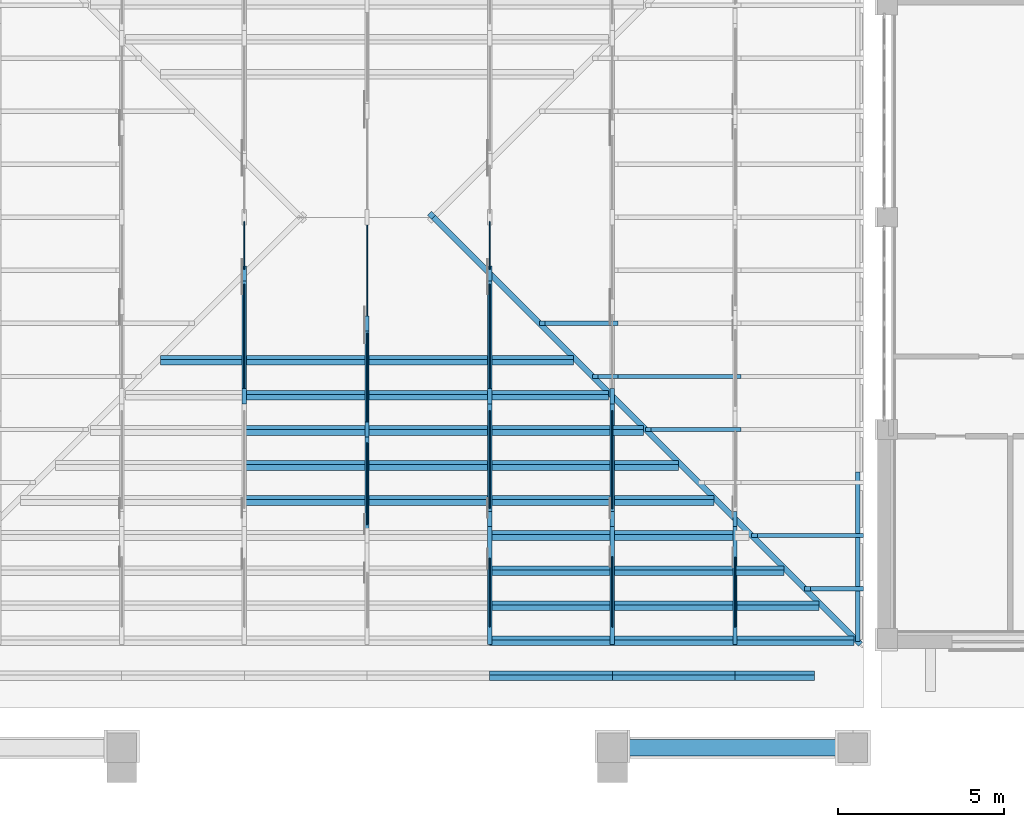
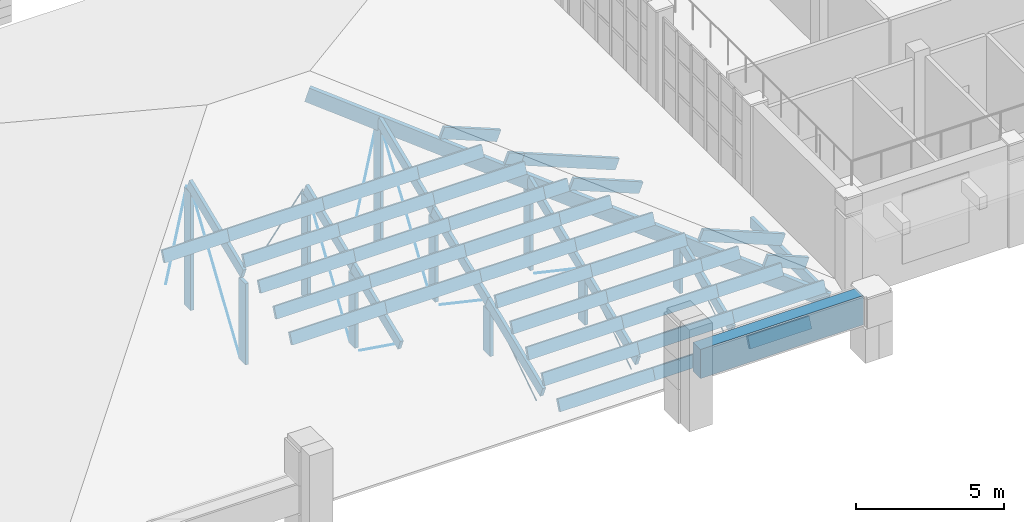
# One storey, part 5 of 68: 70 members, 3 beams.
"""IFC4 building model written with IfcOpenShell, lengths in metres."""

from ifc_helpers import new_model, si_unit, direction, frame, origin, origin_2d, place, context, subcontext, project, spatial, rectangle, circle, extrude, material, material_profile, profile_set, type_object, element, save


model = new_model("IFC4")

# Units and contexts
model_context = context("Model", 3, precision=1e-05, world=origin(), true_north=direction((0.0, 1.0)))
body_context = subcontext(model_context, "Body", "Model", "MODEL_VIEW")
ifc_project = project(units=[si_unit("LENGTHUNIT", "METRE"), si_unit("AREAUNIT", "SQUARE_METRE"), si_unit("VOLUMEUNIT", "CUBIC_METRE"), si_unit("PLANEANGLEUNIT", "RADIAN"), si_unit("MASSUNIT", "GRAM", prefix="KILO")], contexts=[model_context])

# Site, building, storey
site_placement = place(None, origin())
site = spatial("IfcSite", under=ifc_project, at=site_placement, CompositionType="ELEMENT")
building_placement = place(site_placement, origin())
building = spatial("IfcBuilding", under=site, at=building_placement, Name="Wasatch Bagh Community Centre", CompositionType="ELEMENT")
storey_placement = place(building_placement, frame((0.0, 0.0, 8.39990234375)))
storey = spatial("IfcBuildingStorey", under=building, at=storey_placement, Name="L02", CompositionType="ELEMENT", Elevation=8.39990234375)

# Beams
ifc_material_1 = material(Name="Concrete C35", Category="concrete")
ifc_material_profile_1 = material_profile(ifc_material_1, rectangle(XDim=0.5, YDim=1.199951171875, at=origin_2d()), Name="RC 500x1200")
ifc_profile_set_1 = profile_set([ifc_material_profile_1], Name="Concrete C35")
beam_type_1 = type_object("IfcBeamType", Name="CL-B3", PredefinedType="BEAM", material=ifc_profile_set_1)
beam_1_placement = place(storey_placement, frame((88.85009765625, 3.0, 2.0), z_axis=(1.0, 0.0, 0.0), x_axis=(0.0, 1.0, 0.0)))
element("IfcBeam", 1, at=beam_1_placement, inside=storey, type_object=beam_type_1, Name="CL-B3 head beam DHA2", PredefinedType="BEAM", context=body_context, shape_type="SweptSolid", body=[
    extrude(rectangle(XDim=0.5, YDim=1.199951171875, at=origin_2d()), origin(), (0.0, 0.0, 1.0), 6.349853515625),
])
ifc_material_2 = material(Name="Glulam 24F-V4 Douglas fir-larch", Category="wood")
ifc_material_profile_2 = material_profile(ifc_material_2, rectangle(XDim=0.130126953125, YDim=0.457275390625, at=origin_2d()), Name="GL 130x457")
ifc_profile_set_2 = profile_set([ifc_material_profile_2], Name="Glulam 24F-V4 Douglas fir-larch")
beam_type_2 = type_object("IfcBeamType", Name="DH GL 130x457 beam", PredefinedType="BEAM", material=ifc_profile_set_2)
beam_2_placement = place(storey_placement, frame((95.800048828125, 6.199951171875, 0.228759765625), z_axis=(0.0, 1.0, 0.0), x_axis=(-1.0, 0.0, 0.0)))
element("IfcBeam", 2, at=beam_2_placement, inside=storey, type_object=beam_type_2, Name="DH.beam.L01.platee1", PredefinedType="BEAM", context=body_context, shape_type="SweptSolid", body=[
    extrude(rectangle(XDim=0.130126953125, YDim=0.457275390625, at=origin_2d()), origin(), (0.0, 0.0, 1.0), 5.1201171875),
])

# Members
ifc_material_profile_3 = material_profile(ifc_material_2, rectangle(XDim=0.130126953125, YDim=0.457275390625, at=origin_2d()), Name="GL 130x457")
ifc_profile_set_3 = profile_set([ifc_material_profile_3], Name="Glulam 24F-V4 Douglas fir-larch")
member_type_1 = type_object("IfcMemberType", Name="DH GL 130x457 chord", PredefinedType="CHORD", material=ifc_profile_set_3)
member_1_placement = place(storey_placement, frame((77.300048828125, 13.600830078125, 3.200927734375), z_axis=(0.0, 0.925992338678, 0.377542300557), x_axis=(-1.0, 0.0, 0.0)))
element("IfcMember", 3, at=member_1_placement, inside=storey, type_object=member_type_1, Name="DH.TH3.TC04", PredefinedType="CHORD", context=body_context, shape_type="SweptSolid", body=[
    extrude(rectangle(XDim=0.130126953125, YDim=0.457275390625, at=origin_2d()), origin(), (0.0, 0.0, 1.0), 3.94970703125),
])
member_2_placement = place(storey_placement, frame((81.0, 9.400390625, 1.50390625), z_axis=(0.0, 0.927192693318, 0.374584715997), x_axis=(-1.0, 0.0, 0.0)))
element("IfcMember", 4, at=member_2_placement, inside=storey, type_object=member_type_1, Name="DH.TH4.TC03", PredefinedType="CHORD", context=body_context, shape_type="SweptSolid", body=[
    extrude(rectangle(XDim=0.130126953125, YDim=0.457275390625, at=origin_2d()), origin(), (0.0, 0.0, 1.0), 3.450439453125),
])
member_3_placement = place(storey_placement, frame((81.0, 12.600341796875, 2.796630859375), z_axis=(0.0, 0.927172833205, 0.374633871088), x_axis=(-1.0, 0.0, 0.0)))
element("IfcMember", 5, at=member_3_placement, inside=storey, type_object=member_type_1, Name="DH.TH4.TC04", PredefinedType="CHORD", context=body_context, shape_type="SweptSolid", body=[
    extrude(rectangle(XDim=0.130126953125, YDim=0.457275390625, at=origin_2d()), origin(), (0.0, 0.0, 1.0), 3.449951171875),
])
member_4_placement = place(storey_placement, frame((84.699951171875, 6.200439453125, 0.2109375), z_axis=(0.0, 0.927179717978, 0.37461683167), x_axis=(-1.0, 0.0, 0.0)))
element("IfcMember", 6, at=member_4_placement, inside=storey, type_object=member_type_1, Name="DH.TH5.TC02", PredefinedType="CHORD", context=body_context, shape_type="SweptSolid", body=[
    extrude(rectangle(XDim=0.130126953125, YDim=0.457275390625, at=origin_2d()), origin(), (0.0, 0.0, 1.0), 3.98974609375),
])
member_5_placement = place(storey_placement, frame((84.699951171875, 9.900390625, 1.705810546875), z_axis=(0.0, 0.927183797629, 0.374606734342), x_axis=(-1.0, 0.0, 0.0)))
element("IfcMember", 7, at=member_5_placement, inside=storey, type_object=member_type_1, Name="DH.TH5.TC03", PredefinedType="CHORD", context=body_context, shape_type="SweptSolid", body=[
    extrude(rectangle(XDim=0.130126953125, YDim=0.457275390625, at=origin_2d()), origin(), (0.0, 0.0, 1.0), 3.9892578125),
])
member_6_placement = place(storey_placement, frame((84.699951171875, 13.600830078125, 3.200927734375), z_axis=(0.0, 0.925992338678, 0.377542300557), x_axis=(-1.0, 0.0, 0.0)))
element("IfcMember", 8, at=member_6_placement, inside=storey, type_object=member_type_1, Name="DH.TH5.TC04", PredefinedType="CHORD", context=body_context, shape_type="SweptSolid", body=[
    extrude(rectangle(XDim=0.130126953125, YDim=0.457275390625, at=origin_2d()), origin(), (0.0, 0.0, 1.0), 3.94970703125),
])
member_7_placement = place(storey_placement, frame((88.39990234375, 6.200439453125, 0.2109375), z_axis=(0.0, 0.927183797629, 0.374606734342), x_axis=(-1.0, 0.0, 0.0)))
element("IfcMember", 9, at=member_7_placement, inside=storey, type_object=member_type_1, Name="DH.TH6.TC02", PredefinedType="CHORD", context=body_context, shape_type="SweptSolid", body=[
    extrude(rectangle(XDim=0.130126953125, YDim=0.457275390625, at=origin_2d()), origin(), (0.0, 0.0, 1.0), 3.9892578125),
])
member_8_placement = place(storey_placement, frame((88.39990234375, 9.90087890625, 1.7060546875), z_axis=(0.0, 0.925983527477, 0.377563910936), x_axis=(-1.0, 0.0, 0.0)))
element("IfcMember", 10, at=member_8_placement, inside=storey, type_object=member_type_1, Name="DH.TH6.TC03", PredefinedType="CHORD", context=body_context, shape_type="SweptSolid", body=[
    extrude(rectangle(XDim=0.130126953125, YDim=0.457275390625, at=origin_2d()), origin(), (0.0, 0.0, 1.0), 3.949462890625),
])
member_9_placement = place(storey_placement, frame((92.10009765625, 6.20068359375, 0.211181640625), z_axis=(0.0, 0.925992338678, 0.377542300557), x_axis=(-1.0, 0.0, 0.0)))
element("IfcMember", 11, at=member_9_placement, inside=storey, type_object=member_type_1, Name="DH.TH7.TC02", PredefinedType="CHORD", context=body_context, shape_type="SweptSolid", body=[
    extrude(rectangle(XDim=0.130126953125, YDim=0.457275390625, at=origin_2d()), origin(), (0.0, 0.0, 1.0), 3.94970703125),
])
ifc_material_profile_4 = material_profile(ifc_material_2, rectangle(XDim=0.130126953125, YDim=0.457275390625, at=origin_2d()), Name="GL 130x457")
ifc_profile_set_4 = profile_set([ifc_material_profile_4], Name="Glulam 24F-V4 Douglas fir-larch")
member_type_2 = type_object("IfcMemberType", Name="DH GL 130x457 post", PredefinedType="POST", material=ifc_profile_set_4)
member_10_placement = place(storey_placement, frame((77.300048828125, 13.60009765625, -0.422607421875), z_axis=(0.0, 0.0, 1.0), x_axis=(1.0, 0.0, 0.0)))
element("IfcMember", 12, at=member_10_placement, inside=storey, type_object=member_type_2, Name="DH.TH3.PS03", PredefinedType="POST", context=body_context, shape_type="SweptSolid", body=[
    extrude(rectangle(XDim=0.130126953125, YDim=0.457275390625, at=origin_2d()), origin(), (0.0, 0.0, 1.0), 3.34912109375),
])
member_11_placement = place(storey_placement, frame((77.300048828125, 17.300048828125, -0.422607421875), z_axis=(0.0, 0.0, 1.0), x_axis=(1.0, 0.0, 0.0)))
element("IfcMember", 13, at=member_11_placement, inside=storey, type_object=member_type_2, Name="DH.TH3.PS04", PredefinedType="POST", context=body_context, shape_type="SweptSolid", body=[
    extrude(rectangle(XDim=0.130126953125, YDim=0.457275390625, at=origin_2d()), origin(), (0.0, 0.0, 1.0), 4.8447265625),
])
member_12_placement = place(storey_placement, frame((81.0, 12.60009765625, -0.422607421875), z_axis=(0.0, 0.0, 1.0), x_axis=(1.0, 0.0, 0.0)))
element("IfcMember", 14, at=member_12_placement, inside=storey, type_object=member_type_2, Name="DH.TH4.PS03", PredefinedType="POST", context=body_context, shape_type="SweptSolid", body=[
    extrude(rectangle(XDim=0.130126953125, YDim=0.457275390625, at=origin_2d()), origin(), (0.0, 0.0, 1.0), 2.927001953125),
])
member_13_placement = place(storey_placement, frame((81.0, 15.800048828125, -0.422607421875), z_axis=(0.0, 0.0, 1.0), x_axis=(1.0, 0.0, 0.0)))
element("IfcMember", 15, at=member_13_placement, inside=storey, type_object=member_type_2, Name="DH.TH4.PS04", PredefinedType="POST", context=body_context, shape_type="SweptSolid", body=[
    extrude(rectangle(XDim=0.130126953125, YDim=0.457275390625, at=origin_2d()), origin(), (0.0, 0.0, 1.0), 4.23779296875),
])
member_14_placement = place(storey_placement, frame((84.699951171875, 9.89990234375, -0.422607421875), z_axis=(0.0, 0.0, 1.0), x_axis=(1.0, 0.0, 0.0)))
element("IfcMember", 16, at=member_14_placement, inside=storey, type_object=member_type_2, Name="DH.TH5.PS02", PredefinedType="POST", context=body_context, shape_type="SweptSolid", body=[
    extrude(rectangle(XDim=0.130126953125, YDim=0.457275390625, at=origin_2d()), origin(), (0.0, 0.0, 1.0), 1.840576171875),
])
member_15_placement = place(storey_placement, frame((84.699951171875, 13.60009765625, -0.422607421875), z_axis=(0.0, 0.0, 1.0), x_axis=(1.0, 0.0, 0.0)))
element("IfcMember", 17, at=member_15_placement, inside=storey, type_object=member_type_2, Name="DH.TH5.PS03", PredefinedType="POST", context=body_context, shape_type="SweptSolid", body=[
    extrude(rectangle(XDim=0.130126953125, YDim=0.457275390625, at=origin_2d()), origin(), (0.0, 0.0, 1.0), 3.34912109375),
])
member_16_placement = place(storey_placement, frame((84.699951171875, 17.300048828125, -0.422607421875), z_axis=(0.0, 0.0, 1.0), x_axis=(1.0, 0.0, 0.0)))
element("IfcMember", 18, at=member_16_placement, inside=storey, type_object=member_type_2, Name="DH.TH5.PS04", PredefinedType="POST", context=body_context, shape_type="SweptSolid", body=[
    extrude(rectangle(XDim=0.130126953125, YDim=0.457275390625, at=origin_2d()), origin(), (0.0, 0.0, 1.0), 4.8447265625),
])
member_17_placement = place(storey_placement, frame((88.39990234375, 9.89990234375, -0.422607421875), z_axis=(0.0, 0.0, 1.0), x_axis=(1.0, 0.0, 0.0)))
element("IfcMember", 19, at=member_17_placement, inside=storey, type_object=member_type_2, Name="DH.TH6.PS02", PredefinedType="POST", context=body_context, shape_type="SweptSolid", body=[
    extrude(rectangle(XDim=0.130126953125, YDim=0.457275390625, at=origin_2d()), origin(), (0.0, 0.0, 1.0), 1.854248046875),
])
member_18_placement = place(storey_placement, frame((88.39990234375, 13.60009765625, -0.422607421875), z_axis=(0.0, 0.0, 1.0), x_axis=(1.0, 0.0, 0.0)))
element("IfcMember", 20, at=member_18_placement, inside=storey, type_object=member_type_2, Name="DH.TH6.PS03", PredefinedType="POST", context=body_context, shape_type="SweptSolid", body=[
    extrude(rectangle(XDim=0.130126953125, YDim=0.457275390625, at=origin_2d()), origin(), (0.0, 0.0, 1.0), 3.349853515625),
])
member_19_placement = place(storey_placement, frame((92.10009765625, 9.89990234375, -0.422607421875), z_axis=(0.0, 0.0, 1.0), x_axis=(1.0, 0.0, 0.0)))
element("IfcMember", 21, at=member_19_placement, inside=storey, type_object=member_type_2, Name="DH.TH7.PS02", PredefinedType="POST", context=body_context, shape_type="SweptSolid", body=[
    extrude(rectangle(XDim=0.130126953125, YDim=0.457275390625, at=origin_2d()), origin(), (0.0, 0.0, 1.0), 1.85498046875),
])
ifc_material_profile_5 = material_profile(ifc_material_2, rectangle(XDim=0.130126953125, YDim=0.457275390625, at=origin_2d()), Name="GL 130x457")
ifc_profile_set_5 = profile_set([ifc_material_profile_5], Name="Glulam 24F-V4 Douglas fir-larch")
member_type_3 = type_object("IfcMemberType", Name="DH GL 130x457 purlin", PredefinedType="PURLIN", material=ifc_profile_set_5)
member_20_placement = place(storey_placement, frame((84.699951171875, 5.17138671875, 0.288330078125), z_axis=(1.0, 0.0, 0.0), x_axis=(0.0, 0.927183854567, -0.374606593416)))
element("IfcMember", 22, at=member_20_placement, inside=storey, type_object=member_type_3, Name="DH.PUR.S02.6", PredefinedType="PURLIN", context=body_context, shape_type="SweptSolid", body=[
    extrude(rectangle(XDim=0.130126953125, YDim=0.457275390625, at=origin_2d()), origin(), (0.0, 0.0, 1.0), 3.699951171875),
])
member_21_placement = place(storey_placement, frame((88.39990234375, 5.17138671875, 0.288330078125), z_axis=(1.0, 0.0, 0.0), x_axis=(0.0, 0.927183854567, -0.374606593416)))
element("IfcMember", 23, at=member_21_placement, inside=storey, type_object=member_type_3, Name="DH.PUR.S02.7", PredefinedType="PURLIN", context=body_context, shape_type="SweptSolid", body=[
    extrude(rectangle(XDim=0.130126953125, YDim=0.457275390625, at=origin_2d()), origin(), (0.0, 0.0, 1.0), 3.7001953125),
])
member_22_placement = place(storey_placement, frame((92.10009765625, 5.17138671875, 0.288330078125), z_axis=(1.0, 0.0, 0.0), x_axis=(0.0, 0.927183854567, -0.374606593416)))
element("IfcMember", 24, at=member_22_placement, inside=storey, type_object=member_type_3, Name="DH.PUR.S02.8", PredefinedType="PURLIN", context=body_context, shape_type="SweptSolid", body=[
    extrude(rectangle(XDim=0.130126953125, YDim=0.457275390625, at=origin_2d()), origin(), (0.0, 0.0, 1.0), 2.39990234375),
])
member_23_placement = place(storey_placement, frame((84.699951171875, 6.228759765625, 0.71533203125), z_axis=(1.0, 0.0, 0.0), x_axis=(0.0, 0.927183854567, -0.374606593416)))
element("IfcMember", 25, at=member_23_placement, inside=storey, type_object=member_type_3, Name="DH.PUR.S03.6", PredefinedType="PURLIN", context=body_context, shape_type="SweptSolid", body=[
    extrude(rectangle(XDim=0.130126953125, YDim=0.457275390625, at=origin_2d()), origin(), (0.0, 0.0, 1.0), 3.699951171875),
])
member_24_placement = place(storey_placement, frame((88.39990234375, 6.228759765625, 0.71533203125), z_axis=(1.0, 0.0, 0.0), x_axis=(0.0, 0.927183854567, -0.374606593416)))
element("IfcMember", 26, at=member_24_placement, inside=storey, type_object=member_type_3, Name="DH.PUR.S03.7", PredefinedType="PURLIN", context=body_context, shape_type="SweptSolid", body=[
    extrude(rectangle(XDim=0.130126953125, YDim=0.457275390625, at=origin_2d()), origin(), (0.0, 0.0, 1.0), 3.7001953125),
])
member_25_placement = place(storey_placement, frame((92.10009765625, 6.228759765625, 0.71533203125), z_axis=(1.0, 0.0, 0.0), x_axis=(0.0, 0.927183854567, -0.374606593416)))
element("IfcMember", 27, at=member_25_placement, inside=storey, type_object=member_type_3, Name="DH.PUR.S03.8", PredefinedType="PURLIN", context=body_context, shape_type="SweptSolid", body=[
    extrude(rectangle(XDim=0.130126953125, YDim=0.457275390625, at=origin_2d()), origin(), (0.0, 0.0, 1.0), 3.585693359375),
])
member_26_placement = place(storey_placement, frame((84.699951171875, 7.285888671875, 1.142578125), z_axis=(1.0, 0.0, 0.0), x_axis=(0.0, 0.927183854567, -0.374606593416)))
element("IfcMember", 28, at=member_26_placement, inside=storey, type_object=member_type_3, Name="DH.PUR.S04.6", PredefinedType="PURLIN", context=body_context, shape_type="SweptSolid", body=[
    extrude(rectangle(XDim=0.130126953125, YDim=0.457275390625, at=origin_2d()), origin(), (0.0, 0.0, 1.0), 3.699951171875),
])
member_27_placement = place(storey_placement, frame((88.39990234375, 7.285888671875, 1.142578125), z_axis=(1.0, 0.0, 0.0), x_axis=(0.0, 0.927183854567, -0.374606593416)))
element("IfcMember", 29, at=member_27_placement, inside=storey, type_object=member_type_3, Name="DH.PUR.S04.7", PredefinedType="PURLIN", context=body_context, shape_type="SweptSolid", body=[
    extrude(rectangle(XDim=0.130126953125, YDim=0.457275390625, at=origin_2d()), origin(), (0.0, 0.0, 1.0), 3.7001953125),
])
member_28_placement = place(storey_placement, frame((92.10009765625, 7.285888671875, 1.142578125), z_axis=(1.0, 0.0, 0.0), x_axis=(0.0, 0.927183854567, -0.374606593416)))
element("IfcMember", 30, at=member_28_placement, inside=storey, type_object=member_type_3, Name="DH.PUR.S04.8", PredefinedType="PURLIN", context=body_context, shape_type="SweptSolid", body=[
    extrude(rectangle(XDim=0.130126953125, YDim=0.457275390625, at=origin_2d()), origin(), (0.0, 0.0, 1.0), 2.528564453125),
])
member_29_placement = place(storey_placement, frame((84.699951171875, 8.343017578125, 1.569580078125), z_axis=(1.0, 0.0, 0.0), x_axis=(0.0, 0.927183854567, -0.374606593416)))
element("IfcMember", 31, at=member_29_placement, inside=storey, type_object=member_type_3, Name="DH.PUR.S05.6", PredefinedType="PURLIN", context=body_context, shape_type="SweptSolid", body=[
    extrude(rectangle(XDim=0.130126953125, YDim=0.457275390625, at=origin_2d()), origin(), (0.0, 0.0, 1.0), 3.699951171875),
])
member_30_placement = place(storey_placement, frame((88.39990234375, 8.343017578125, 1.569580078125), z_axis=(1.0, 0.0, 0.0), x_axis=(0.0, 0.927183854567, -0.374606593416)))
element("IfcMember", 32, at=member_30_placement, inside=storey, type_object=member_type_3, Name="DH.PUR.S05.7", PredefinedType="PURLIN", context=body_context, shape_type="SweptSolid", body=[
    extrude(rectangle(XDim=0.130126953125, YDim=0.457275390625, at=origin_2d()), origin(), (0.0, 0.0, 1.0), 3.7001953125),
])
member_31_placement = place(storey_placement, frame((92.10009765625, 8.343017578125, 1.569580078125), z_axis=(1.0, 0.0, 0.0), x_axis=(0.0, 0.927183854567, -0.374606593416)))
element("IfcMember", 33, at=member_31_placement, inside=storey, type_object=member_type_3, Name="DH.PUR.S05.8", PredefinedType="PURLIN", context=body_context, shape_type="SweptSolid", body=[
    extrude(rectangle(XDim=0.130126953125, YDim=0.457275390625, at=origin_2d()), origin(), (0.0, 0.0, 1.0), 1.471435546875),
])
member_32_placement = place(storey_placement, frame((84.699951171875, 9.400146484375, 1.996826171875), z_axis=(1.0, 0.0, 0.0), x_axis=(0.0, 0.927183854567, -0.374606593416)))
element("IfcMember", 34, at=member_32_placement, inside=storey, type_object=member_type_3, Name="DH.PUR.S06.6", PredefinedType="PURLIN", context=body_context, shape_type="SweptSolid", body=[
    extrude(rectangle(XDim=0.130126953125, YDim=0.457275390625, at=origin_2d()), origin(), (0.0, 0.0, 1.0), 3.699951171875),
])
member_33_placement = place(storey_placement, frame((88.39990234375, 9.400146484375, 1.996826171875), z_axis=(1.0, 0.0, 0.0), x_axis=(0.0, 0.927183854567, -0.374606593416)))
element("IfcMember", 35, at=member_33_placement, inside=storey, type_object=member_type_3, Name="DH.PUR.S06.7", PredefinedType="PURLIN", context=body_context, shape_type="SweptSolid", body=[
    extrude(rectangle(XDim=0.130126953125, YDim=0.457275390625, at=origin_2d()), origin(), (0.0, 0.0, 1.0), 3.7001953125),
])
for number, where, z_axis, x_axis, name in (
    (36, (77.300048828125, 10.457275390625, 2.423828125), (1.0, 0.0, 0.0), (0.0, 0.927183854567, -0.374606593416), "DH.PUR.S07.3"),
    (37, (81.0, 10.457275390625, 2.423828125), (1.0, 0.0, 0.0), (0.0, 0.927183854567, -0.374606593416), "DH.PUR.S07.4"),
    (38, (84.699951171875, 10.457275390625, 2.423828125), (1.0, 0.0, 0.0), (0.0, 0.927183854567, -0.374606593416), "DH.PUR.S07.5"),
):
    element("IfcMember", number, at=place(storey_placement, frame(where, z_axis=z_axis, x_axis=x_axis)), inside=storey, type_object=member_type_3, Name=name, PredefinedType="PURLIN", context=body_context, shape_type="SweptSolid", body=[
        extrude(rectangle(XDim=0.130126953125, YDim=0.457275390625, at=origin_2d()), origin(), (0.0, 0.0, 1.0), 3.699951171875),
    ])
member_34_placement = place(storey_placement, frame((88.39990234375, 10.457275390625, 2.423828125), z_axis=(1.0, 0.0, 0.0), x_axis=(0.0, 0.927183854567, -0.374606593416)))
element("IfcMember", 39, at=member_34_placement, inside=storey, type_object=member_type_3, Name="DH.PUR.S07.6", PredefinedType="PURLIN", context=body_context, shape_type="SweptSolid", body=[
    extrude(rectangle(XDim=0.130126953125, YDim=0.457275390625, at=origin_2d()), origin(), (0.0, 0.0, 1.0), 3.05712890625),
])
for number, where, z_axis, x_axis, name in (
    (40, (77.300048828125, 11.514404296875, 2.85107421875), (1.0, 0.0, 0.0), (0.0, 0.927183854567, -0.374606593416), "DH.PUR.S08.3"),
    (41, (81.0, 11.514404296875, 2.85107421875), (1.0, 0.0, 0.0), (0.0, 0.927183854567, -0.374606593416), "DH.PUR.S08.4"),
    (42, (84.699951171875, 11.514404296875, 2.85107421875), (1.0, 0.0, 0.0), (0.0, 0.927183854567, -0.374606593416), "DH.PUR.S08.5"),
):
    element("IfcMember", number, at=place(storey_placement, frame(where, z_axis=z_axis, x_axis=x_axis)), inside=storey, type_object=member_type_3, Name=name, PredefinedType="PURLIN", context=body_context, shape_type="SweptSolid", body=[
        extrude(rectangle(XDim=0.130126953125, YDim=0.457275390625, at=origin_2d()), origin(), (0.0, 0.0, 1.0), 3.699951171875),
    ])
member_35_placement = place(storey_placement, frame((88.39990234375, 11.514404296875, 2.85107421875), z_axis=(1.0, 0.0, 0.0), x_axis=(0.0, 0.927183854567, -0.374606593416)))
element("IfcMember", 43, at=member_35_placement, inside=storey, type_object=member_type_3, Name="DH.PUR.S08.6", PredefinedType="PURLIN", context=body_context, shape_type="SweptSolid", body=[
    extrude(rectangle(XDim=0.130126953125, YDim=0.457275390625, at=origin_2d()), origin(), (0.0, 0.0, 1.0), 2.0),
])
for number, where, z_axis, x_axis, name in (
    (44, (77.300048828125, 12.571533203125, 3.278076171875), (1.0, 0.0, 0.0), (0.0, 0.927183854567, -0.374606593416), "DH.PUR.S09.3"),
    (45, (81.0, 12.571533203125, 3.278076171875), (1.0, 0.0, 0.0), (0.0, 0.927183854567, -0.374606593416), "DH.PUR.S09.4"),
    (46, (84.699951171875, 12.571533203125, 3.278076171875), (1.0, 0.0, 0.0), (0.0, 0.927183854567, -0.374606593416), "DH.PUR.S09.5"),
):
    element("IfcMember", number, at=place(storey_placement, frame(where, z_axis=z_axis, x_axis=x_axis)), inside=storey, type_object=member_type_3, Name=name, PredefinedType="PURLIN", context=body_context, shape_type="SweptSolid", body=[
        extrude(rectangle(XDim=0.130126953125, YDim=0.457275390625, at=origin_2d()), origin(), (0.0, 0.0, 1.0), 3.699951171875),
    ])
member_36_placement = place(storey_placement, frame((88.39990234375, 12.571533203125, 3.278076171875), z_axis=(1.0, 0.0, 0.0), x_axis=(0.0, 0.927183854567, -0.374606593416)))
element("IfcMember", 47, at=member_36_placement, inside=storey, type_object=member_type_3, Name="DH.PUR.S09.6", PredefinedType="PURLIN", context=body_context, shape_type="SweptSolid", body=[
    extrude(rectangle(XDim=0.130126953125, YDim=0.457275390625, at=origin_2d()), origin(), (0.0, 0.0, 1.0), 0.94287109375),
])
for number, where, z_axis, x_axis, name in (
    (48, (77.300048828125, 13.628662109375, 3.705322265625), (1.0, 0.0, 0.0), (0.0, 0.927183854567, -0.374606593416), "DH.PUR.S10.2"),
    (49, (81.0, 13.628662109375, 3.705322265625), (1.0, 0.0, 0.0), (0.0, 0.927183854567, -0.374606593416), "DH.PUR.S10.3"),
):
    element("IfcMember", number, at=place(storey_placement, frame(where, z_axis=z_axis, x_axis=x_axis)), inside=storey, type_object=member_type_3, Name=name, PredefinedType="PURLIN", context=body_context, shape_type="SweptSolid", body=[
        extrude(rectangle(XDim=0.130126953125, YDim=0.457275390625, at=origin_2d()), origin(), (0.0, 0.0, 1.0), 3.699951171875),
    ])
member_37_placement = place(storey_placement, frame((84.699951171875, 13.628662109375, 3.705322265625), z_axis=(1.0, 0.0, 0.0), x_axis=(0.0, 0.927183854567, -0.374606593416)))
element("IfcMember", 50, at=member_37_placement, inside=storey, type_object=member_type_3, Name="DH.PUR.S10.4", PredefinedType="PURLIN", context=body_context, shape_type="SweptSolid", body=[
    extrude(rectangle(XDim=0.130126953125, YDim=0.457275390625, at=origin_2d()), origin(), (0.0, 0.0, 1.0), 3.585693359375),
])
member_38_placement = place(storey_placement, frame((74.771484375, 14.685791015625, 4.13232421875), z_axis=(1.0, 0.0, 0.0), x_axis=(0.0, 0.927183854567, -0.374606593416)))
element("IfcMember", 51, at=member_38_placement, inside=storey, type_object=member_type_3, Name="DH.PUR.S11.1", PredefinedType="PURLIN", context=body_context, shape_type="SweptSolid", body=[
    extrude(rectangle(XDim=0.130126953125, YDim=0.457275390625, at=origin_2d()), origin(), (0.0, 0.0, 1.0), 2.528564453125),
])
for number, where, z_axis, x_axis, name in (
    (52, (77.300048828125, 14.685791015625, 4.13232421875), (1.0, 0.0, 0.0), (0.0, 0.927183854567, -0.374606593416), "DH.PUR.S11.2"),
    (53, (81.0, 14.685791015625, 4.13232421875), (1.0, 0.0, 0.0), (0.0, 0.927183854567, -0.374606593416), "DH.PUR.S11.3"),
):
    element("IfcMember", number, at=place(storey_placement, frame(where, z_axis=z_axis, x_axis=x_axis)), inside=storey, type_object=member_type_3, Name=name, PredefinedType="PURLIN", context=body_context, shape_type="SweptSolid", body=[
        extrude(rectangle(XDim=0.130126953125, YDim=0.457275390625, at=origin_2d()), origin(), (0.0, 0.0, 1.0), 3.699951171875),
    ])
member_39_placement = place(storey_placement, frame((84.699951171875, 14.685791015625, 4.13232421875), z_axis=(1.0, 0.0, 0.0), x_axis=(0.0, 0.927183854567, -0.374606593416)))
element("IfcMember", 54, at=member_39_placement, inside=storey, type_object=member_type_3, Name="DH.PUR.S11.4", PredefinedType="PURLIN", context=body_context, shape_type="SweptSolid", body=[
    extrude(rectangle(XDim=0.130126953125, YDim=0.457275390625, at=origin_2d()), origin(), (0.0, 0.0, 1.0), 2.528564453125),
])
ifc_material_profile_6 = material_profile(ifc_material_2, rectangle(XDim=0.130126953125, YDim=0.457275390625, at=origin_2d()), Name="GL 130x457")
ifc_profile_set_6 = profile_set([ifc_material_profile_6], Name="Glulam 24F-V4 Douglas fir-larch")
member_type_4 = type_object("IfcMemberType", Name="DH GL 130x457 rafter", PredefinedType="RAFTER", material=ifc_profile_set_6)
member_40_placement = place(storey_placement, frame((95.8857421875, 7.800048828125, 0.669189453125), z_axis=(-0.927183259239, 0.0, 0.3746080669), x_axis=(0.0, -1.0, 0.0)))
element("IfcMember", 55, at=member_40_placement, inside=storey, type_object=member_type_4, Name="DH.RAF.E01.1", PredefinedType="RAFTER", context=body_context, shape_type="SweptSolid", body=[
    extrude(rectangle(XDim=0.130126953125, YDim=0.457275390625, at=origin_2d()), origin(), (0.0, 0.0, 1.0), 1.725830078125),
])
member_41_placement = place(storey_placement, frame((95.8857421875, 9.39990234375, 0.669189453125), z_axis=(-0.927183259239, 0.0, 0.3746080669), x_axis=(0.0, -1.0, 0.0)))
element("IfcMember", 56, at=member_41_placement, inside=storey, type_object=member_type_4, Name="DH.RAF.E02.1", PredefinedType="RAFTER", context=body_context, shape_type="SweptSolid", body=[
    extrude(rectangle(XDim=0.130126953125, YDim=0.457275390625, at=origin_2d()), origin(), (0.0, 0.0, 1.0), 3.451416015625),
])
member_42_placement = place(storey_placement, frame((92.185546875, 12.60009765625, 2.1640625), z_axis=(-0.927158403169, 0.0, 0.374669581677), x_axis=(0.0, -1.0, 0.0)))
element("IfcMember", 57, at=member_42_placement, inside=storey, type_object=member_type_4, Name="DH.RAF.E04.2", PredefinedType="RAFTER", context=body_context, shape_type="SweptSolid", body=[
    extrude(rectangle(XDim=0.130126953125, YDim=0.457275390625, at=origin_2d()), origin(), (0.0, 0.0, 1.0), 2.912109375),
])
member_43_placement = place(storey_placement, frame((92.185546875, 14.199951171875, 2.1640625), z_axis=(-0.927184225426, 0.0, 0.374605675505), x_axis=(0.0, -1.0, 0.0)))
element("IfcMember", 58, at=member_43_placement, inside=storey, type_object=member_type_4, Name="DH.RAF.E05.2", PredefinedType="RAFTER", context=body_context, shape_type="SweptSolid", body=[
    extrude(rectangle(XDim=0.130126953125, YDim=0.457275390625, at=origin_2d()), origin(), (0.0, 0.0, 1.0), 3.990478515625),
])
member_44_placement = place(storey_placement, frame((88.485595703125, 14.199951171875, 3.658935546875), z_axis=(-0.927143538775, 0.0, 0.374706363046), x_axis=(0.0, -1.0, 0.0)))
element("IfcMember", 59, at=member_44_placement, inside=storey, type_object=member_type_4, Name="DH.RAF.E05.3", PredefinedType="RAFTER", context=body_context, shape_type="SweptSolid", body=[
    extrude(rectangle(XDim=0.130126953125, YDim=0.457275390625, at=origin_2d()), origin(), (0.0, 0.0, 1.0), 0.64697265625),
])
member_45_placement = place(storey_placement, frame((88.485595703125, 15.800048828125, 3.658935546875), z_axis=(-0.927172429486, 0.0, 0.374634870243), x_axis=(0.0, -1.0, 0.0)))
element("IfcMember", 60, at=member_45_placement, inside=storey, type_object=member_type_4, Name="DH.RAF.E06.3", PredefinedType="RAFTER", context=body_context, shape_type="SweptSolid", body=[
    extrude(rectangle(XDim=0.130126953125, YDim=0.457275390625, at=origin_2d()), origin(), (0.0, 0.0, 1.0), 2.372802734375),
])

# Beam
ifc_material_profile_7 = material_profile(ifc_material_2, rectangle(XDim=0.17138671875, YDim=0.609619140625, at=origin_2d()), Name="GL 171x610")
ifc_profile_set_7 = profile_set([ifc_material_profile_7], Name="Glulam 24F-V4 Douglas fir-larch")
beam_type_3 = type_object("IfcBeamType", Name="DH GL 171x610 beam", PredefinedType="BEAM", material=ifc_profile_set_7)
beam_3_placement = place(storey_placement, frame((95.82080078125, 6.17919921875, 0.1318359375), z_axis=(-0.679905031174, 0.679905031174, 0.274696736726), x_axis=(-0.707106781187, -0.707106781187, 0.0)))
element("IfcBeam", 61, at=beam_3_placement, inside=storey, type_object=beam_type_3, Name="DH.hip.se", PredefinedType="BEAM", context=body_context, shape_type="SweptSolid", body=[
    extrude(rectangle(XDim=0.17138671875, YDim=0.609619140625, at=origin_2d()), origin(), (0.0, 0.0, 1.0), 18.944091796875),
])

# Members
ifc_material_3 = material(Name="ASTM A572 Grade 50 steel", Category="steel")
ifc_material_profile_8 = material_profile(ifc_material_3, circle(Radius=0.01611328125, at=origin_2d()), Name="ROD 32")
ifc_profile_set_8 = profile_set([ifc_material_profile_8], Name="ASTM A572 Grade 50 steel")
member_type_5 = type_object("IfcMemberType", Name="DH ROD 32 brace", PredefinedType="BRACE", material=ifc_profile_set_8)
member_46_placement = place(storey_placement, frame((77.300048828125, 13.833740234375, -0.413330078125), z_axis=(0.0, 0.554302384292, 0.832315364972), x_axis=(-1.0, 0.0, 0.0)))
element("IfcMember", 62, at=member_46_placement, inside=storey, type_object=member_type_5, Name="DH.TH3.WB03", PredefinedType="BRACE", context=body_context, shape_type="SweptSolid", body=[
    extrude(circle(Radius=0.01611328125, at=origin_2d()), origin(), (0.0, 0.0, 1.0), 5.666015625),
])
member_47_placement = place(storey_placement, frame((77.300048828125, 18.8583984375, -0.417724609375), z_axis=(0.0, -0.278080184003, 0.96055786461), x_axis=(1.0, 0.0, 0.0)))
element("IfcMember", 63, at=member_47_placement, inside=storey, type_object=member_type_5, Name="DH.TH3.WB04", PredefinedType="BRACE", context=body_context, shape_type="SweptSolid", body=[
    extrude(circle(Radius=0.01611328125, at=origin_2d()), origin(), (0.0, 0.0, 1.0), 5.0947265625),
])
member_48_placement = place(storey_placement, frame((81.0, 12.18359375, -0.4091796875), z_axis=(0.0, -0.811767984877, 0.583980084188), x_axis=(1.0, 0.0, 0.0)))
element("IfcMember", 64, at=member_48_placement, inside=storey, type_object=member_type_5, Name="DH.TH4.WB02", PredefinedType="BRACE", context=body_context, shape_type="SweptSolid", body=[
    extrude(circle(Radius=0.01611328125, at=origin_2d()), origin(), (0.0, 0.0, 1.0), 3.01171875),
])
member_49_placement = place(storey_placement, frame((81.0, 12.8291015625, -0.41357421875), z_axis=(0.0, 0.543470097756, 0.839428527538), x_axis=(-1.0, 0.0, 0.0)))
element("IfcMember", 65, at=member_49_placement, inside=storey, type_object=member_type_5, Name="DH.TH4.WB03", PredefinedType="BRACE", context=body_context, shape_type="SweptSolid", body=[
    extrude(circle(Radius=0.01611328125, at=origin_2d()), origin(), (0.0, 0.0, 1.0), 4.9033203125),
])
member_50_placement = place(storey_placement, frame((81.0, 18.77294921875, -0.41357421875), z_axis=(0.0, -0.538541858733, 0.842598757649), x_axis=(1.0, 0.0, 0.0)))
element("IfcMember", 66, at=member_50_placement, inside=storey, type_object=member_type_5, Name="DH.TH4.WB04", PredefinedType="BRACE", context=body_context, shape_type="SweptSolid", body=[
    extrude(circle(Radius=0.01611328125, at=origin_2d()), origin(), (0.0, 0.0, 1.0), 5.14453125),
])
member_51_placement = place(storey_placement, frame((84.699951171875, 6.649658203125, -0.408935546875), z_axis=(0.0, 0.835807102257, 0.549023212457), x_axis=(-1.0, 0.0, 0.0)))
element("IfcMember", 67, at=member_51_placement, inside=storey, type_object=member_type_5, Name="DH.TH5.WB01", PredefinedType="BRACE", context=body_context, shape_type="SweptSolid", body=[
    extrude(circle(Radius=0.01611328125, at=origin_2d()), origin(), (0.0, 0.0, 1.0), 2.456787109375),
])
member_52_placement = place(storey_placement, frame((84.699951171875, 13.16064453125, -0.408935546875), z_axis=(0.0, -0.82878543143, 0.559566536392), x_axis=(1.0, 0.0, 0.0)))
element("IfcMember", 68, at=member_52_placement, inside=storey, type_object=member_type_5, Name="DH.TH5.WB02", PredefinedType="BRACE", context=body_context, shape_type="SweptSolid", body=[
    extrude(circle(Radius=0.01611328125, at=origin_2d()), origin(), (0.0, 0.0, 1.0), 3.535888671875),
])
member_53_placement = place(storey_placement, frame((84.699951171875, 13.833740234375, -0.413330078125), z_axis=(0.0, 0.554302384292, 0.832315364972), x_axis=(-1.0, 0.0, 0.0)))
element("IfcMember", 69, at=member_53_placement, inside=storey, type_object=member_type_5, Name="DH.TH5.WB03", PredefinedType="BRACE", context=body_context, shape_type="SweptSolid", body=[
    extrude(circle(Radius=0.01611328125, at=origin_2d()), origin(), (0.0, 0.0, 1.0), 5.666015625),
])
member_54_placement = place(storey_placement, frame((84.699951171875, 18.8583984375, -0.417724609375), z_axis=(0.0, -0.278080184003, 0.96055786461), x_axis=(1.0, 0.0, 0.0)))
element("IfcMember", 70, at=member_54_placement, inside=storey, type_object=member_type_5, Name="DH.TH5.WB04", PredefinedType="BRACE", context=body_context, shape_type="SweptSolid", body=[
    extrude(circle(Radius=0.01611328125, at=origin_2d()), origin(), (0.0, 0.0, 1.0), 5.0947265625),
])
member_55_placement = place(storey_placement, frame((88.39990234375, 6.649658203125, -0.408935546875), z_axis=(0.0, 0.835798110223, 0.549036901262), x_axis=(-1.0, 0.0, 0.0)))
element("IfcMember", 71, at=member_55_placement, inside=storey, type_object=member_type_5, Name="DH.TH6.WB01", PredefinedType="BRACE", context=body_context, shape_type="SweptSolid", body=[
    extrude(circle(Radius=0.01611328125, at=origin_2d()), origin(), (0.0, 0.0, 1.0), 2.522705078125),
])
member_56_placement = place(storey_placement, frame((88.39990234375, 13.16064453125, -0.408935546875), z_axis=(0.0, -0.828766546719, 0.559594505905), x_axis=(1.0, 0.0, 0.0)))
element("IfcMember", 72, at=member_56_placement, inside=storey, type_object=member_type_5, Name="DH.TH6.WB02", PredefinedType="BRACE", context=body_context, shape_type="SweptSolid", body=[
    extrude(circle(Radius=0.01611328125, at=origin_2d()), origin(), (0.0, 0.0, 1.0), 3.550048828125),
])
member_57_placement = place(storey_placement, frame((92.10009765625, 6.6474609375, -0.408935546875), z_axis=(0.0, 0.834382556645, 0.551185766476), x_axis=(-1.0, 0.0, 0.0)))
element("IfcMember", 73, at=member_57_placement, inside=storey, type_object=member_type_5, Name="DH.TH7.WB01", PredefinedType="BRACE", context=body_context, shape_type="SweptSolid", body=[
    extrude(circle(Radius=0.01611328125, at=origin_2d()), origin(), (0.0, 0.0, 1.0), 2.50439453125),
])

save(model, "model.ifc")
